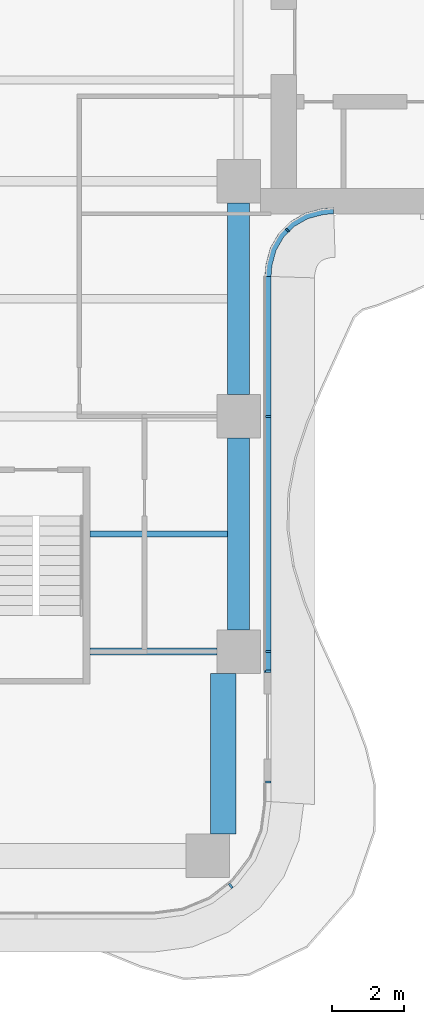
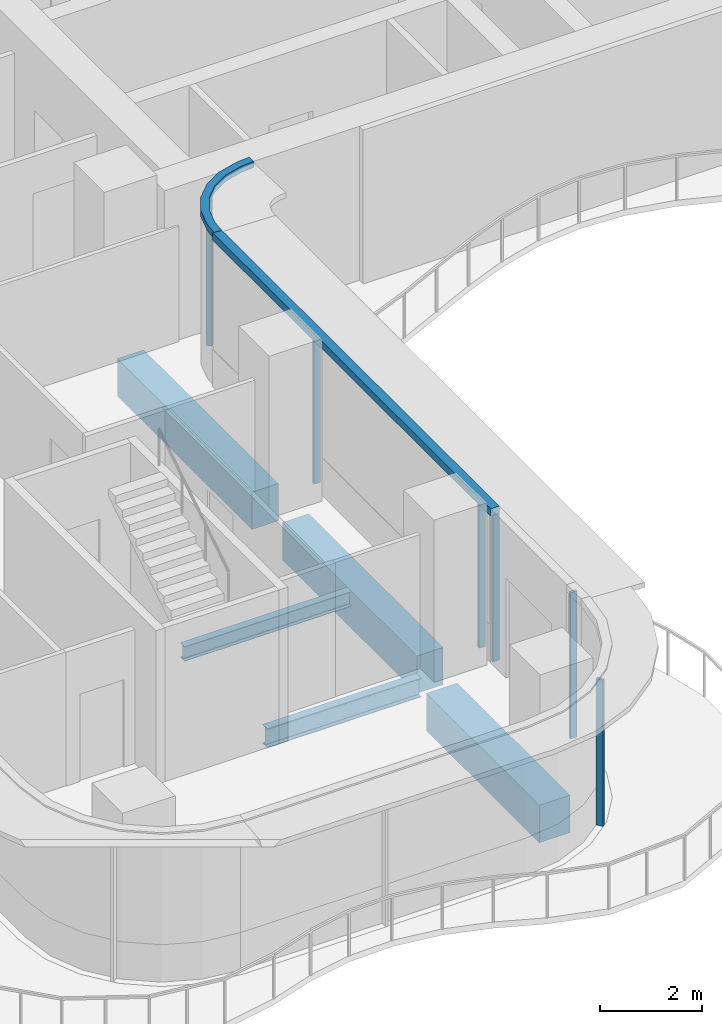
# One storey, part 5 of 18: 8 members, 5 beams, 4 elements without a shape of their own.
"""IFC4 building model written with IfcOpenShell, lengths in metres."""

from ifc_helpers import new_model, si_unit, direction, frame, origin, origin_2d, place, context, subcontext, project, spatial, polyline, rectangle, i_section, outline, extrude, source, transform, mapped, material, layer, layer_set, material_profile, profile_set, type_object, element, aggregate, save


model = new_model("IFC4")

# Units and contexts
model_context = context("Model", 3, precision=1e-05, world=origin(), true_north=direction((0.0, 1.0)))
body_context = subcontext(model_context, "Body", "Model", "MODEL_VIEW")
ifc_project = project(units=[si_unit("LENGTHUNIT", "METRE"), si_unit("AREAUNIT", "SQUARE_METRE"), si_unit("VOLUMEUNIT", "CUBIC_METRE"), si_unit("PLANEANGLEUNIT", "RADIAN"), si_unit("MASSUNIT", "GRAM", prefix="KILO")], contexts=[model_context])

# Site, building, storey
site_placement = place(None, origin())
site = spatial("IfcSite", under=ifc_project, at=site_placement, CompositionType="ELEMENT")
building_placement = place(site_placement, origin())
building = spatial("IfcBuilding", under=site, at=building_placement, Name="Trellis Farm Tower", CompositionType="ELEMENT")
storey_placement = place(building_placement, frame((0.0, 0.0, 204.89990234375)))
storey = spatial("IfcBuildingStorey", under=building, at=storey_placement, Name="L45", CompositionType="ELEMENT", Elevation=204.89990234375)

# Curtain wall, member
ifc_material_1 = material(Name="Aluminium and glass curtain wall", Category="aluminium")
ifc_layer_1 = layer(ifc_material_1, 0.18994140625)
ifc_layer_set_1 = layer_set([ifc_layer_1], Name="RIBBON CURTAIN WALL CW1")
curtain_wall_type_1 = type_object("IfcCurtainWallType", Name="RIBBON CURTAIN WALL CW1", PredefinedType="NOTDEFINED", material=ifc_layer_set_1)
placement = place(storey_placement, origin())
curtain_wall_1 = element("IfcCurtainWall", 1, at=placement, inside=storey, type_object=curtain_wall_type_1, Name="CW1 005", PredefinedType="NOTDEFINED")
ifc_material_2 = material(Name="Aluminium extrusion 6063-T6", Category="aluminium")
ifc_layer_2 = layer(ifc_material_2, 0.199951171875)
ifc_layer_set_2 = layer_set([ifc_layer_2], Name="Aluminium extrusion 6063-T6")
member_type_1 = type_object("IfcMemberType", Name="CW1 TRANSOM 200x180", PredefinedType="USERDEFINED", material=ifc_layer_set_2)
member_1_placement = place(storey_placement, frame((0.0, 0.0, 3.52001953125)))
member_1 = element("IfcMember", 2, at=member_1_placement, type_object=member_type_1, Name="TR1 005", ObjectType="TRANSOM", PredefinedType="USERDEFINED", context=body_context, shape_type="SweptSolid", body=[
    extrude(outline(polyline([(6.5, -19.175048828125), (6.5, -8.2314453125), (6.300048828125, -8.224853515625), (6.300048828125, -19.175048828125), (6.5, -19.175048828125)])), origin(), (0.0, 0.0, 1.0), 0.18017578125),
])

# Beams
ifc_material_3 = material(Name="Steel S355", Category="steel")
ifc_material_profile_1 = material_profile(ifc_material_3, i_section(OverallWidth=0.1904296875, OverallDepth=0.45703125, WebThickness=0.009033203125, FlangeThickness=0.014404296875, FilletRadius=0.01025390625, at=origin_2d()), Name="UB 457x191x74")
ifc_profile_set_1 = profile_set([ifc_material_profile_1], Name="Steel S355")
beam_type_1 = type_object("IfcBeamType", Name="UB 457x191x74", PredefinedType="BEAM", material=ifc_profile_set_1)
shared_shape_1 = source(origin(), body_context, "Body", "SweptSolid", [
    extrude(i_section(OverallWidth=0.1904296875, OverallDepth=0.45703125, WebThickness=0.009033203125, FlangeThickness=0.014404296875, FilletRadius=0.01025390625, at=origin_2d()), origin(), (0.0, 0.0, 1.0), 3.5),
])
beam_1_placement = place(storey_placement, frame((1.5, -18.60009765625, -0.428466796875), z_axis=(1.0, 0.0, 0.0), x_axis=(0.0, 1.0, 0.0)))
element("IfcBeam", 3, at=beam_1_placement, inside=storey, type_object=beam_type_1, Name="Girder", PredefinedType="BEAM", context=body_context, shape_type="MappedRepresentation", body=[
    mapped(shared_shape_1, transform((0.0, 0.0, 0.0))),
])
ifc_material_4 = material(Name="Concrete C60/75", Category="concrete")
ifc_material_profile_2 = material_profile(ifc_material_4, rectangle(XDim=0.60009765625, YDim=0.89990234375, at=origin_2d()), Name="RC spandrel beam 600x900 C60/75")
ifc_profile_set_2 = profile_set([ifc_material_profile_2], Name="Concrete C60/75")
beam_type_2 = type_object("IfcBeamType", Name="RC spandrel beam 600x900 C60/75", PredefinedType="SPANDREL", material=ifc_profile_set_2)
shared_shape_2 = source(origin(), body_context, "Body", "SweptSolid", [
    extrude(rectangle(XDim=0.60009765625, YDim=0.89990234375, at=origin_2d()), origin(), (0.0, 0.0, 1.0), 5.300048828125),
])
for number, where, z_axis, x_axis, name in (
    (4, (5.60009765625, -18.0, -0.64990234375), (0.0, 1.0, 0.0), (-1.0, 0.0, 0.0), "Girder"),
    (5, (5.60009765625, -11.5, -0.64990234375), (0.0, 1.0, 0.0), (-1.0, 0.0, 0.0), "Girder"),
):
    element("IfcBeam", number, at=place(storey_placement, frame(where, z_axis=z_axis, x_axis=x_axis)), inside=storey, type_object=beam_type_2, Name=name, PredefinedType="SPANDREL", context=body_context, shape_type="MappedRepresentation", body=[
        mapped(shared_shape_2, transform((0.0, 0.0, 0.0))),
    ])
ifc_material_profile_3 = material_profile(ifc_material_4, rectangle(XDim=0.699951171875, YDim=0.89990234375, at=origin_2d()), Name="RC spandrel beam 700x900 C60/75")
ifc_profile_set_3 = profile_set([ifc_material_profile_3], Name="Concrete C60/75")
beam_type_3 = type_object("IfcBeamType", Name="RC spandrel beam 700x900 C60/75", PredefinedType="SPANDREL", material=ifc_profile_set_3)
shared_shape_3 = source(origin(), body_context, "Body", "SweptSolid", [
    extrude(rectangle(XDim=0.699951171875, YDim=0.89990234375, at=origin_2d()), origin(), (0.0, 0.0, 1.0), 4.449951171875),
])
beam_2_placement = place(storey_placement, frame((5.175048828125, -23.64990234375, -0.64990234375), z_axis=(0.0, 1.0, 0.0), x_axis=(-1.0, 0.0, 0.0)))
element("IfcBeam", 6, at=beam_2_placement, inside=storey, type_object=beam_type_3, Name="Girder", PredefinedType="SPANDREL", context=body_context, shape_type="MappedRepresentation", body=[
    mapped(shared_shape_3, transform((0.0, 0.0, 0.0))),
])
ifc_material_profile_4 = material_profile(ifc_material_3, i_section(OverallWidth=0.17138671875, OverallDepth=0.35498046875, WebThickness=0.00732421875, FlangeThickness=0.011474609375, FilletRadius=0.01025390625, at=origin_2d()), Name="UB 356x171x51")
ifc_profile_set_4 = profile_set([ifc_material_profile_4], Name="Steel S355")
beam_type_4 = type_object("IfcBeamType", Name="UB 356x171x51 joist", PredefinedType="JOIST", material=ifc_profile_set_4)
shared_shape_4 = source(origin(), body_context, "Body", "SweptSolid", [
    extrude(i_section(OverallWidth=0.17138671875, OverallDepth=0.35498046875, WebThickness=0.00732421875, FlangeThickness=0.011474609375, FilletRadius=0.01025390625, at=origin_2d()), origin(), (0.0, 0.0, 1.0), 3.800048828125),
])
beam_3_placement = place(storey_placement, frame((1.5, -15.35009765625, -0.37744140625), z_axis=(1.0, 0.0, 0.0), x_axis=(0.0, 1.0, 0.0)))
element("IfcBeam", 7, at=beam_3_placement, inside=storey, type_object=beam_type_4, Name="Floor beam", PredefinedType="JOIST", context=body_context, shape_type="MappedRepresentation", body=[
    mapped(shared_shape_4, transform((0.0, 0.0, 0.0))),
])

# Curtain wall, member
curtain_wall_2 = element("IfcCurtainWall", 8, at=placement, inside=storey, type_object=curtain_wall_type_1, Name="CW1 003", PredefinedType="NOTDEFINED")
ifc_material_profile_5 = material_profile(ifc_material_2, rectangle(XDim=0.06005859375, YDim=0.14990234375, at=origin_2d()), Name="MULLION 60x150")
ifc_profile_set_5 = profile_set([ifc_material_profile_5], Name="Aluminium extrusion 6063-T6")
member_type_2 = type_object("IfcMemberType", Name="CW1 MULLION 60x150", PredefinedType="MULLION", material=ifc_profile_set_5)
shared_shape_5 = source(origin(), body_context, "Body", "SweptSolid", [
    extrude(rectangle(XDim=0.06005859375, YDim=0.14990234375, at=origin_2d()), origin(), (0.0, 0.0, 1.0), 3.52001953125),
])
member_2_placement = place(storey_placement, frame((5.385498046875, -25.078369140625, 0.0), z_axis=(0.0, 0.0, 1.0), x_axis=(0.793353340291, 0.608761429009, 0.0)))
member_2 = element("IfcMember", 9, at=member_2_placement, type_object=member_type_2, Name="MU1 003-02", PredefinedType="MULLION", context=body_context, shape_type="MappedRepresentation", body=[
    mapped(shared_shape_5, transform((0.0, 0.0, 0.0))),
])
aggregate(curtain_wall_2, [member_2])

curtain_wall_3 = element("IfcCurtainWall", 10, at=placement, inside=storey, type_object=curtain_wall_type_1, Name="CW1 004", PredefinedType="NOTDEFINED")
member_3_placement = place(storey_placement, frame((6.425048828125, -22.205078125, 0.0), z_axis=(0.0, 0.0, 1.0), x_axis=(0.0, 1.0, 0.0)))
member_3 = element("IfcMember", 11, at=member_3_placement, type_object=member_type_2, Name="MU1 004-01", PredefinedType="MULLION", context=body_context, shape_type="MappedRepresentation", body=[
    mapped(shared_shape_5, transform((0.0, 0.0, 0.0))),
])
aggregate(curtain_wall_3, [member_3])

# Member
member_4_placement = place(storey_placement, frame((6.425048828125, -19.14501953125, 0.0), z_axis=(0.0, 0.0, 1.0), x_axis=(0.0, 1.0, 0.0)))
member_4 = element("IfcMember", 12, at=member_4_placement, type_object=member_type_2, Name="MU1 005-01", PredefinedType="MULLION", context=body_context, shape_type="MappedRepresentation", body=[
    mapped(shared_shape_5, transform((0.0, 0.0, 0.0))),
])

member_5_placement = place(storey_placement, frame((6.425048828125, -18.60009765625, 0.0), z_axis=(0.0, 0.0, 1.0), x_axis=(0.0, 1.0, 0.0)))
member_5 = element("IfcMember", 13, at=member_5_placement, type_object=member_type_2, Name="MU1 005-02", PredefinedType="MULLION", context=body_context, shape_type="MappedRepresentation", body=[
    mapped(shared_shape_5, transform((0.0, 0.0, 0.0))),
])

member_6_placement = place(storey_placement, frame((6.425048828125, -12.10009765625, 0.0), z_axis=(0.0, 0.0, 1.0), x_axis=(0.0, 1.0, 0.0)))
member_6 = element("IfcMember", 14, at=member_6_placement, type_object=member_type_2, Name="MU1 005-03", PredefinedType="MULLION", context=body_context, shape_type="MappedRepresentation", body=[
    mapped(shared_shape_5, transform((0.0, 0.0, 0.0))),
])

aggregate(curtain_wall_1, [member_4, member_5, member_6, member_1])

# Curtain wall, members
ifc_layer_3 = layer(ifc_material_1, 0.166015625)
ifc_layer_set_3 = layer_set([ifc_layer_3], Name="WINTER GARDEN CURTAIN WALL CW3")
curtain_wall_type_2 = type_object("IfcCurtainWallType", Name="WINTER GARDEN CURTAIN WALL CW3", PredefinedType="NOTDEFINED", material=ifc_layer_set_3)
curtain_wall_4 = element("IfcCurtainWall", 15, at=placement, inside=storey, type_object=curtain_wall_type_2, Name="CW3 002", PredefinedType="NOTDEFINED")
ifc_material_profile_6 = material_profile(ifc_material_2, rectangle(XDim=0.050048828125, YDim=0.1201171875, at=origin_2d()), Name="MULLION 50x120")
ifc_profile_set_6 = profile_set([ifc_material_profile_6], Name="Aluminium extrusion 6063-T6")
member_type_3 = type_object("IfcMemberType", Name="CW3 MULLION 50x120", PredefinedType="MULLION", material=ifc_profile_set_6)
shared_shape_6 = source(origin(), body_context, "Body", "SweptSolid", [
    extrude(rectangle(XDim=0.050048828125, YDim=0.1201171875, at=origin_2d()), origin(), (0.0, 0.0, 1.0), 3.550048828125),
])
member_7_placement = place(storey_placement, frame((6.953125, -6.953125, 0.0), z_axis=(0.0, 0.0, 1.0), x_axis=(0.707106781187, 0.707106781187, 0.0)))
member_7 = element("IfcMember", 16, at=member_7_placement, type_object=member_type_3, Name="MU3 002-01", PredefinedType="MULLION", context=body_context, shape_type="MappedRepresentation", body=[
    mapped(shared_shape_6, transform((0.0, 0.0, 0.0))),
])
ifc_layer_4 = layer(ifc_material_2, 0.169921875)
ifc_layer_set_4 = layer_set([ifc_layer_4], Name="Aluminium extrusion 6063-T6")
member_type_4 = type_object("IfcMemberType", Name="CW3 TRANSOM 170x150", PredefinedType="USERDEFINED", material=ifc_layer_set_4)
shared_shape_7 = source(origin(), body_context, "Body", "SweptSolid", [
    extrude(outline(polyline([(6.5, -8.2314453125), (6.513916015625, -8.01953125), (6.527587890625, -7.91552734375), (6.63671875, -7.508544921875), (6.846923828125, -7.144287109375), (7.144287109375, -6.846923828125), (7.508544921875, -6.63671875), (7.91552734375, -6.527587890625), (8.01953125, -6.513916015625), (8.2314453125, -6.5), (8.225830078125, -6.330078125), (8.0029296875, -6.3447265625), (7.88232421875, -6.360595703125), (7.44287109375, -6.478271484375), (7.0400390625, -6.7109375), (6.7109375, -7.0400390625), (6.478271484375, -7.44287109375), (6.360595703125, -7.88232421875), (6.3447265625, -8.0029296875), (6.330078125, -8.225830078125), (6.5, -8.2314453125)])), origin(), (0.0, 0.0, 1.0), 0.150146484375),
])
member_8_placement = place(storey_placement, frame((0.0, 0.0, 3.550048828125)))
member_8 = element("IfcMember", 17, at=member_8_placement, type_object=member_type_4, Name="TR3 002", ObjectType="TRANSOM", PredefinedType="USERDEFINED", context=body_context, shape_type="MappedRepresentation", body=[
    mapped(shared_shape_7, transform((0.0, 0.0, 0.0))),
])
aggregate(curtain_wall_4, [member_7, member_8])

save(model, "model.ifc")
